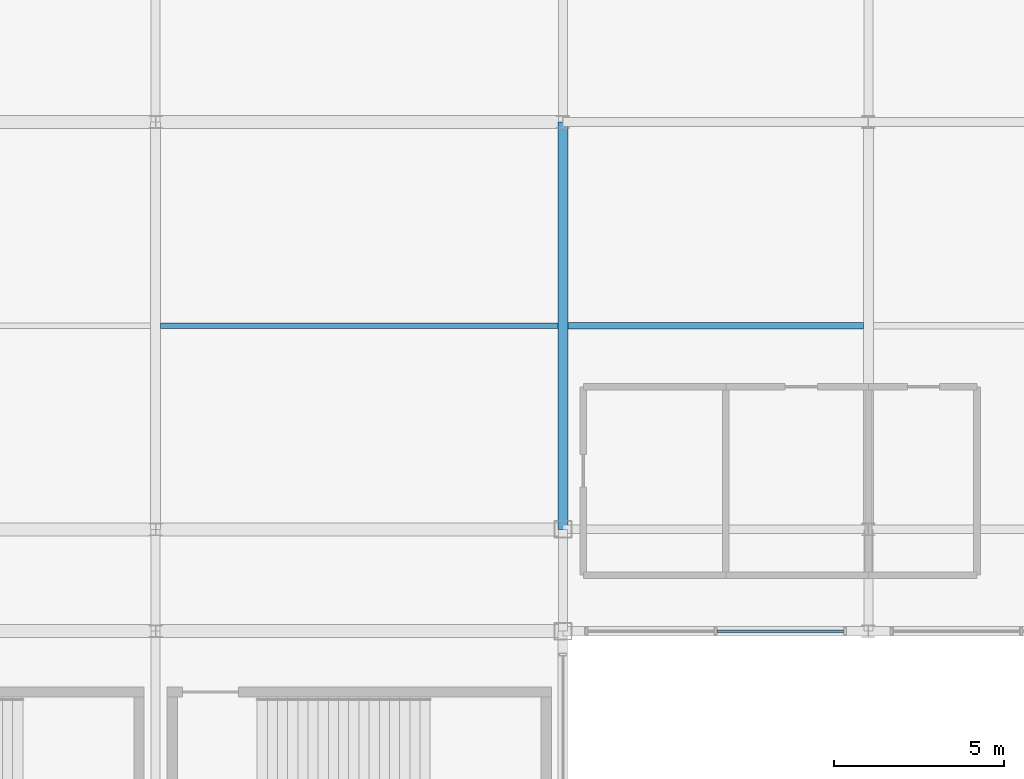
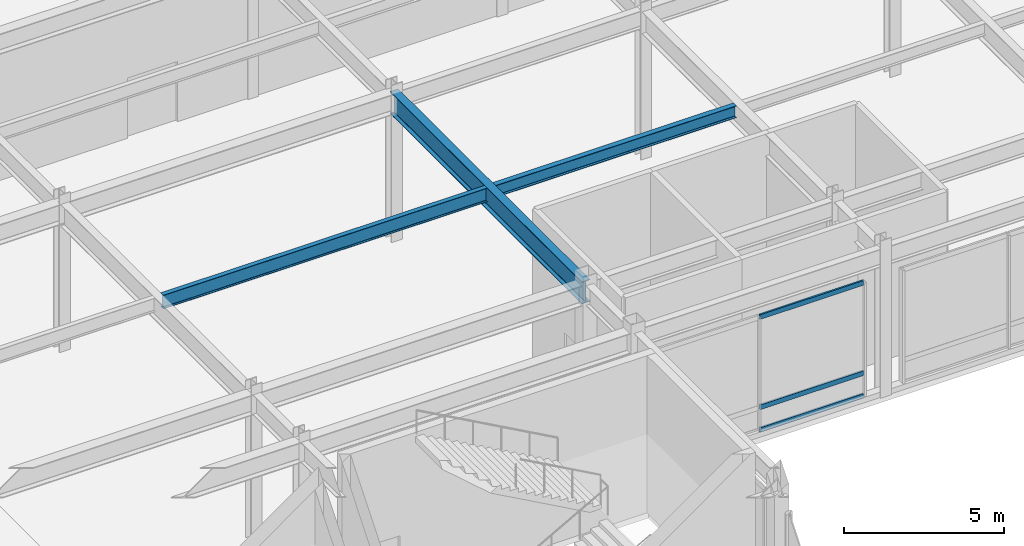
# One storey, part 69 of 108: 3 beams, 3 members, 1 element without a shape of its own.
"""IFC4 building model written with IfcOpenShell, lengths in metres."""

from ifc_helpers import new_model, si_unit, direction, frame, origin, origin_2d, place, context, subcontext, project, spatial, hollow_rectangle, i_section, extrude, material, material_profile, profile_set, type_object, element, aggregate, save


model = new_model("IFC4")

# Units and contexts
model_context = context("Model", 3, precision=1e-05, world=origin(), true_north=direction((0.0, 1.0)))
body_context = subcontext(model_context, "Body", "Model", "MODEL_VIEW")
ifc_project = project(units=[si_unit("LENGTHUNIT", "METRE"), si_unit("AREAUNIT", "SQUARE_METRE"), si_unit("VOLUMEUNIT", "CUBIC_METRE"), si_unit("PLANEANGLEUNIT", "RADIAN"), si_unit("MASSUNIT", "GRAM", prefix="KILO")], contexts=[model_context])

# Site, building, storey
site_placement = place(None, origin())
site = spatial("IfcSite", under=ifc_project, at=site_placement, CompositionType="ELEMENT")
building_placement = place(site_placement, origin())
building = spatial("IfcBuilding", under=site, at=building_placement, Name="Kaldorvane Square Convention Centre", CompositionType="ELEMENT")
storey_placement = place(building_placement, frame((0.0, 0.0, 12.0)))
storey = spatial("IfcBuildingStorey", under=building, at=storey_placement, Name="L02", CompositionType="ELEMENT", Elevation=12.0)

# Beams
ifc_material_1 = material(Name="Steel ASTM A992 Gr. 50", Category="steel")
ifc_material_profile_1 = material_profile(ifc_material_1, i_section(OverallWidth=0.292999267578125, OverallDepth=0.845794677734375, WebThickness=0.0153961181640625, FlangeThickness=0.0243988037109375, FilletRadius=0.0178070068359375, at=origin_2d()), Name="W33X141")
ifc_profile_set_1 = profile_set([ifc_material_profile_1], Name="Steel ASTM A992 Gr. 50")
beam_type_1 = type_object("IfcBeamType", Name="BM-GR-W33X141", PredefinedType="BEAM", material=ifc_profile_set_1)
beam_1_placement = place(storey_placement, frame((138.0, 84.0, 5.2230987548828125), z_axis=(0.0, 1.0, 0.0), x_axis=(-1.0, 0.0, 0.0)))
element("IfcBeam", 1, at=beam_1_placement, inside=storey, type_object=beam_type_1, Name="Transverse Girder (L02)", PredefinedType="BEAM", context=body_context, shape_type="SweptSolid", body=[
    extrude(i_section(OverallWidth=0.292999267578125, OverallDepth=0.845794677734375, WebThickness=0.0153961181640625, FlangeThickness=0.0243988037109375, FilletRadius=0.0178070068359375, at=origin_2d()), origin(), (0.0, 0.0, 1.0), 12.0),
])
ifc_material_profile_2 = material_profile(ifc_material_1, i_section(OverallWidth=0.1912994384765625, OverallDepth=0.4600067138671875, WebThickness=0.0099029541015625, FlangeThickness=0.0160064697265625, FilletRadius=0.01019287109375, at=origin_2d()), Name="W18X55")
ifc_profile_set_2 = profile_set([ifc_material_profile_2], Name="Steel ASTM A992 Gr. 50")
beam_type_2 = type_object("IfcBeamType", Name="BM-JS-W18X55", PredefinedType="JOIST", material=ifc_profile_set_2)
beam_2_placement = place(storey_placement, frame((138.14649963378906, 90.0, 5.4160003662109375), z_axis=(1.0, 0.0, 0.0), x_axis=(0.0, 1.0, 0.0)))
element("IfcBeam", 2, at=beam_2_placement, inside=storey, type_object=beam_type_2, Name="Secondary Floor Joist (L02)", PredefinedType="JOIST", context=body_context, shape_type="SweptSolid", body=[
    extrude(i_section(OverallWidth=0.1912994384765625, OverallDepth=0.4600067138671875, WebThickness=0.0099029541015625, FlangeThickness=0.0160064697265625, FilletRadius=0.01019287109375, at=origin_2d()), origin(), (0.0, 0.0, 1.0), 8.707000732421875),
])
ifc_material_profile_3 = material_profile(ifc_material_1, i_section(OverallWidth=0.1658935546875, OverallDepth=0.5290985107421875, WebThickness=0.00970458984375, FlangeThickness=0.0135955810546875, FilletRadius=0.0126953125, at=origin_2d()), Name="W21X50")
ifc_profile_set_3 = profile_set([ifc_material_profile_3], Name="Steel ASTM A992 Gr. 50")
beam_type_3 = type_object("IfcBeamType", Name="BM-JS-W21X50", PredefinedType="JOIST", material=ifc_profile_set_3)
beam_3_placement = place(storey_placement, frame((126.14649963378906, 90.0, 5.3813934326171875), z_axis=(1.0, 0.0, 0.0), x_axis=(0.0, 1.0, 0.0)))
element("IfcBeam", 3, at=beam_3_placement, inside=storey, type_object=beam_type_3, Name="Secondary Floor Joist (L02)", PredefinedType="JOIST", context=body_context, shape_type="SweptSolid", body=[
    extrude(i_section(OverallWidth=0.1658935546875, OverallDepth=0.5290985107421875, WebThickness=0.00970458984375, FlangeThickness=0.0135955810546875, FilletRadius=0.0126953125, at=origin_2d()), origin(), (0.0, 0.0, 1.0), 11.707000732421875),
])

# Curtain wall, members
ifc_material_2 = material(Name="Anodized Aluminum and Low-E Insulated Glazing", Category="aluminium")
curtain_wall_type = type_object("IfcCurtainWallType", Name="CW-PTS-FC-60", PredefinedType="USERDEFINED", material=ifc_material_2)
curtain_wall_placement = place(storey_placement, origin())
curtain_wall = element("IfcCurtainWall", 4, at=curtain_wall_placement, inside=storey, type_object=curtain_wall_type, Name="Curtain Wall CW-07 (L02)", ObjectType="POINT SUPPORTED GLAZING", PredefinedType="USERDEFINED")
ifc_material_profile_4 = material_profile(ifc_material_2, hollow_rectangle(XDim=0.06500244140625, YDim=0.17999267578125, WallThickness=0.0034942626953125, at=origin_2d()), Name="CWT-180X65")
ifc_profile_set_4 = profile_set([ifc_material_profile_4], Name="Anodized Aluminum and Low-E Insulated Glazing")
member_type = type_object("IfcMemberType", Name="CW-TRN-180", PredefinedType="USERDEFINED", material=ifc_profile_set_4)
member_1_placement = place(storey_placement, frame((142.53750610351562, 81.0, 0.1824951171875), z_axis=(1.0, 0.0, 0.0), x_axis=(0.0, 1.0, 0.0)))
member_1 = element("IfcMember", 5, at=member_1_placement, type_object=member_type, Name="CW-07 transom 2.1", ObjectType="TRANSOM", PredefinedType="USERDEFINED", context=body_context, shape_type="SweptSolid", body=[
    extrude(hollow_rectangle(XDim=0.06500244140625, YDim=0.17999267578125, WallThickness=0.0034942626953125, at=origin_2d()), origin(), (0.0, 0.0, 1.0), 3.73748779296875),
])
member_2_placement = place(storey_placement, frame((142.53750610351562, 81.0, 1.0500030517578125), z_axis=(1.0, 0.0, 0.0), x_axis=(0.0, 1.0, 0.0)))
member_2 = element("IfcMember", 6, at=member_2_placement, type_object=member_type, Name="CW-07 transom 2.2", ObjectType="TRANSOM", PredefinedType="USERDEFINED", context=body_context, shape_type="SweptSolid", body=[
    extrude(hollow_rectangle(XDim=0.06500244140625, YDim=0.17999267578125, WallThickness=0.0034942626953125, at=origin_2d()), origin(), (0.0, 0.0, 1.0), 3.73748779296875),
])
member_3_placement = place(storey_placement, frame((142.53750610351562, 81.0, 4.49749755859375), z_axis=(1.0, 0.0, 0.0), x_axis=(0.0, 1.0, 0.0)))
member_3 = element("IfcMember", 7, at=member_3_placement, type_object=member_type, Name="CW-07 transom 2.3", ObjectType="TRANSOM", PredefinedType="USERDEFINED", context=body_context, shape_type="SweptSolid", body=[
    extrude(hollow_rectangle(XDim=0.06500244140625, YDim=0.17999267578125, WallThickness=0.0034942626953125, at=origin_2d()), origin(), (0.0, 0.0, 1.0), 3.73748779296875),
])
aggregate(curtain_wall, [member_1, member_2, member_3])

save(model, "model.ifc")
